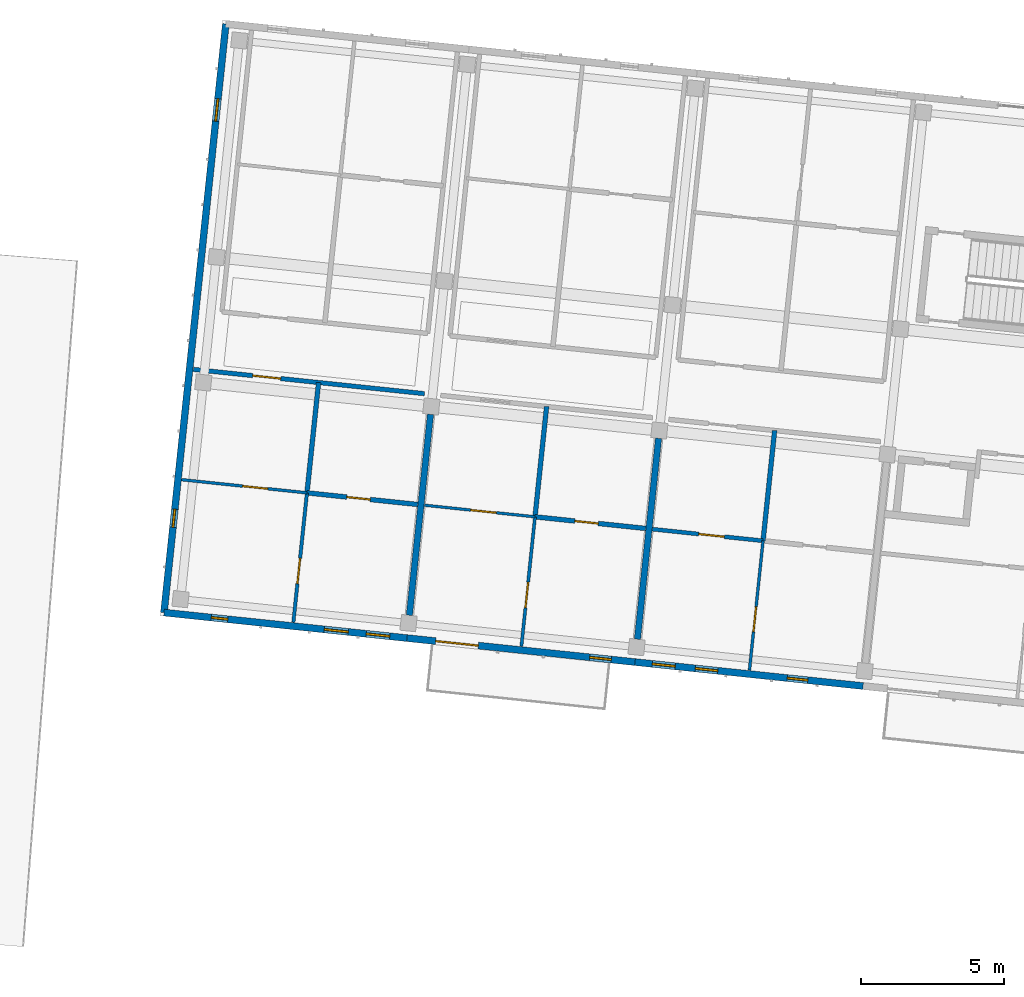
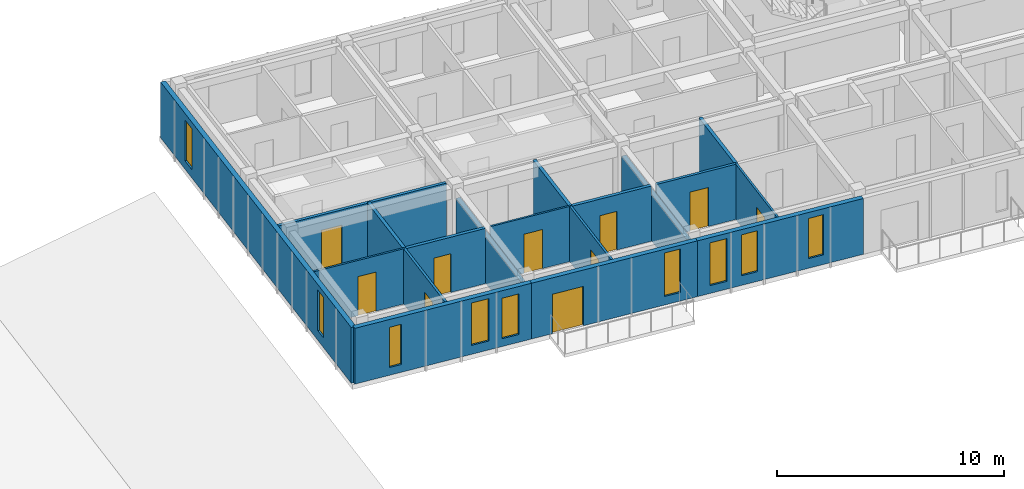
# One storey, part 29 of 74: 18 walls, 10 doors, 9 windows, 19 openings.
"""IFC4 building model written with IfcOpenShell, lengths in metres."""

from ifc_helpers import new_model, si_unit, direction, frame, frame_2d, origin, place, context, subcontext, project, spatial, rectangle, extrude, material, layer, layer_set, type_object, element, fill, save


model = new_model("IFC4")

# Units and contexts
model_context = context("Model", 3, precision=1e-05, world=origin(), true_north=direction((0.0, 1.0)))
body_context = subcontext(model_context, "Body", "Model", "MODEL_VIEW")
ifc_project = project(units=[si_unit("LENGTHUNIT", "METRE"), si_unit("AREAUNIT", "SQUARE_METRE"), si_unit("VOLUMEUNIT", "CUBIC_METRE"), si_unit("PLANEANGLEUNIT", "RADIAN"), si_unit("MASSUNIT", "GRAM", prefix="KILO")], contexts=[model_context])

# Site, building, storey
site_placement = place(None, origin())
site = spatial("IfcSite", under=ifc_project, at=site_placement, CompositionType="ELEMENT")
building_placement = place(site_placement, origin())
building = spatial("IfcBuilding", under=site, at=building_placement, Name="Kestramere Prow Commons", CompositionType="ELEMENT")
storey_placement = place(building_placement, frame((0.0, 0.0, 11.64990234375)))
storey = spatial("IfcBuildingStorey", under=building, at=storey_placement, Name="L03", CompositionType="ELEMENT", Elevation=11.64990234375)

# Wall, openings, windows
ifc_material_1 = material(Name="Fluoropolymer Standing-Seam Zinc-Aluminium Cladding", Category="aluminium")
ifc_layer_1 = layer(ifc_material_1, 0.239990234375)
ifc_layer_set_1 = layer_set([ifc_layer_1], Name="Fluoropolymer Standing-Seam Zinc-Aluminium Cladding")
wall_type_1 = type_object("IfcWallType", Name="EW-SEAM-240", PredefinedType="SOLIDWALL", material=ifc_layer_set_1)
wall_1_placement = place(storey_placement, frame((117.9013671875, 93.441650390625, 0.0), z_axis=(0.0, 0.0, 1.0), x_axis=(-0.994521760736, 0.104529744196, 0.0)))
wall_1 = element("IfcWall", 1, at=wall_1_placement, inside=storey, type_object=wall_type_1, Name="Block B L03 South Standing-Seam Wall 1", PredefinedType="SOLIDWALL", context=body_context, shape_type="SweptSolid", body=[
    extrude(rectangle(XDim=8.52490234375, YDim=0.239990234375, at=frame_2d((4.262451171875, 0.0))), origin(), (0.0, 0.0, 1.0), 3.0),
])
opening_1_placement = place(wall_1_placement, frame((0.610107421875, 0.0, 0.419921875)))
opening_1 = element("IfcOpeningElement", 2, at=opening_1_placement, cuts=wall_1, Name="Opening WN-13", PredefinedType="OPENING", context=body_context, shape_type="SweptSolid", body=[
    extrude(rectangle(XDim=0.820068359375, YDim=2.179931640625, at=frame_2d((0.41015625, 1.08984375))), frame((0.0, 0.135009765625, 0.0), z_axis=(0.0, -1.0, 0.0), x_axis=(1.0, 0.0, 0.0)), (0.0, 0.0, 1.0), 0.27001953125),
])
opening_2_placement = place(wall_1_placement, frame((2.06005859375, 0.0, 0.47998046875)))
opening_2 = element("IfcOpeningElement", 3, at=opening_2_placement, cuts=wall_1, Name="Opening WN-14", PredefinedType="OPENING", context=body_context, shape_type="SweptSolid", body=[
    extrude(rectangle(XDim=0.840087890625, YDim=2.280029296875, at=frame_2d((0.419921875, 1.14013671875))), frame((0.0, 0.135009765625, 0.0), z_axis=(0.0, -1.0, 0.0), x_axis=(1.0, 0.0, 0.0)), (0.0, 0.0, 1.0), 0.27001953125),
])
opening_3_placement = place(wall_1_placement, frame((6.284423828125, 0.0, 0.419921875)))
opening_3 = element("IfcOpeningElement", 4, at=opening_3_placement, cuts=wall_1, Name="Opening WN-01", PredefinedType="OPENING", context=body_context, shape_type="SweptSolid", body=[
    extrude(rectangle(XDim=0.580078125, YDim=2.159912109375, at=frame_2d((0.2900390625, 1.080078125))), frame((0.0, 0.135009765625, 0.0), z_axis=(0.0, -1.0, 0.0), x_axis=(1.0, 0.0, 0.0)), (0.0, 0.0, 1.0), 0.27001953125),
])
ifc_material_2 = material(Name="Low-E Laminated Double Glazing", Category="glass")
window_type_1 = type_object("IfcWindowType", Name="WN-NAR-580A", PartitioningType="SINGLE_PANEL", PredefinedType="WINDOW", material=ifc_material_2)
window_1_placement = place(opening_3_placement, origin())
window_1 = element("IfcWindow", 5, at=window_1_placement, inside=storey, type_object=window_type_1, Name="WN-B-L03-S-0-10", OverallHeight=2.159912109375, OverallWidth=0.580078125, PartitioningType="SINGLE_PANEL", PredefinedType="WINDOW", context=body_context, shape_type="SweptSolid", body=[
    extrude(rectangle(XDim=0.580078125, YDim=2.159912109375, at=frame_2d((0.2900390625, 1.080078125))), frame((0.0, 0.030029296875, 0.0), z_axis=(0.0, -1.0, 0.0), x_axis=(1.0, 0.0, 0.0)), (0.0, 0.0, 1.0), 0.06005859375),
])
fill(opening_3, window_1)
window_type_2 = type_object("IfcWindowType", Name="WN-NAR-820A", PartitioningType="DOUBLE_PANEL_VERTICAL", PredefinedType="WINDOW", material=ifc_material_2)
window_2_placement = place(opening_1_placement, origin())
window_2 = element("IfcWindow", 6, at=window_2_placement, inside=storey, type_object=window_type_2, Name="WN-B-L03-S-0-00", OverallHeight=2.179931640625, OverallWidth=0.820068359375, PartitioningType="SINGLE_PANEL", PredefinedType="WINDOW", context=body_context, shape_type="SweptSolid", body=[
    extrude(rectangle(XDim=0.820068359375, YDim=2.179931640625, at=frame_2d((0.41015625, 1.08984375))), frame((0.0, 0.030029296875, 0.0), z_axis=(0.0, -1.0, 0.0), x_axis=(1.0, 0.0, 0.0)), (0.0, 0.0, 1.0), 0.06005859375),
])
fill(opening_1, window_2)
window_type_3 = type_object("IfcWindowType", Name="WN-NAR-840A", PartitioningType="DOUBLE_PANEL_VERTICAL", PredefinedType="WINDOW", material=ifc_material_2)
window_3_placement = place(opening_2_placement, origin())
window_3 = element("IfcWindow", 7, at=window_3_placement, inside=storey, type_object=window_type_3, Name="WN-B-L03-S-0-01", OverallHeight=2.280029296875, OverallWidth=0.840087890625, PartitioningType="SINGLE_PANEL", PredefinedType="WINDOW", context=body_context, shape_type="SweptSolid", body=[
    extrude(rectangle(XDim=0.840087890625, YDim=2.280029296875, at=frame_2d((0.419921875, 1.14013671875))), frame((0.0, 0.030029296875, 0.0), z_axis=(0.0, -1.0, 0.0), x_axis=(1.0, 0.0, 0.0)), (0.0, 0.0, 1.0), 0.06005859375),
])
fill(opening_2, window_3)

# Wall, openings, door, window
wall_2_placement = place(storey_placement, frame((125.857421875, 92.60546875, 0.0), z_axis=(0.0, 0.0, 1.0), x_axis=(-0.994522329422, 0.104524333444, 0.0)))
wall_2 = element("IfcWall", 8, at=wall_2_placement, inside=storey, type_object=wall_type_1, Name="Block B L03 South Standing-Seam Wall 2", PredefinedType="SOLIDWALL", context=body_context, shape_type="SweptSolid", body=[
    extrude(rectangle(XDim=7.999755859375, YDim=0.239990234375, at=frame_2d((4.0, 0.0))), origin(), (0.0, 0.0, 1.0), 3.0),
])
opening_4_placement = place(wall_2_placement, frame((5.4951171875, 0.0, 0.0)))
opening_4 = element("IfcOpeningElement", 9, at=opening_4_placement, cuts=wall_2, Name="Opening GD-BAL-01", PredefinedType="OPENING", context=body_context, shape_type="SweptSolid", body=[
    extrude(rectangle(XDim=1.5, YDim=2.1201171875, at=frame_2d((0.75, 1.06005859375))), frame((0.0, 0.135009765625, 0.0), z_axis=(0.0, -1.0, 0.0), x_axis=(1.0, 0.0, 0.0)), (0.0, 0.0, 1.0), 0.27001953125),
])
opening_5_placement = place(wall_2_placement, frame((0.830078125, 0.0, 0.4599609375)))
opening_5 = element("IfcOpeningElement", 10, at=opening_5_placement, cuts=wall_2, Name="Opening WN-10", PredefinedType="OPENING", context=body_context, shape_type="SweptSolid", body=[
    extrude(rectangle(XDim=0.760009765625, YDim=2.340087890625, at=frame_2d((0.3798828125, 1.169921875))), frame((0.0, 0.135009765625, 0.0), z_axis=(0.0, -1.0, 0.0), x_axis=(1.0, 0.0, 0.0)), (0.0, 0.0, 1.0), 0.27001953125),
])
ifc_material_3 = material(Name="Thermally-Broken Anodised Aluminium Glazed", Category="aluminium")
door_type_1 = type_object("IfcDoorType", Name="GD-BAL-1500", OperationType="SLIDING_TO_RIGHT", PredefinedType="DOOR", material=ifc_material_3)
door_1_placement = place(opening_4_placement, origin())
door_1 = element("IfcDoor", 11, at=door_1_placement, inside=storey, type_object=door_type_1, Name="Block B L03 Balcony Door 2", OperationType="SLIDING_TO_RIGHT", OverallHeight=2.1201171875, OverallWidth=1.5, PredefinedType="DOOR", context=body_context, shape_type="SweptSolid", body=[
    extrude(rectangle(XDim=1.5, YDim=2.1201171875, at=frame_2d((0.75, 1.06005859375))), frame((0.0, 0.02490234375, 0.0), z_axis=(0.0, -1.0, 0.0), x_axis=(1.0, 0.0, 0.0)), (0.0, 0.0, 1.0), 0.050048828125),
])
fill(opening_4, door_1)
window_type_4 = type_object("IfcWindowType", Name="WN-NAR-760A", PartitioningType="SINGLE_PANEL", PredefinedType="WINDOW", material=ifc_material_2)
window_4_placement = place(opening_5_placement, origin())
window_4 = element("IfcWindow", 12, at=window_4_placement, inside=storey, type_object=window_type_4, Name="WN-B-L03-SR-1", OverallHeight=2.340087890625, OverallWidth=0.760009765625, PartitioningType="SINGLE_PANEL", PredefinedType="WINDOW", context=body_context, shape_type="SweptSolid", body=[
    extrude(rectangle(XDim=0.760009765625, YDim=2.340087890625, at=frame_2d((0.3798828125, 1.169921875))), frame((0.0, 0.030029296875, 0.0), z_axis=(0.0, -1.0, 0.0), x_axis=(1.0, 0.0, 0.0)), (0.0, 0.0, 1.0), 0.06005859375),
])
fill(opening_5, window_4)

# Wall, openings, windows
wall_3_placement = place(storey_placement, frame((133.813720703125, 91.769287109375, 0.0), z_axis=(0.0, 0.0, 1.0), x_axis=(-0.994522662826, 0.104521161134, 0.0)))
wall_3 = element("IfcWall", 13, at=wall_3_placement, inside=storey, type_object=wall_type_1, Name="Block B L03 South Standing-Seam Wall 3", PredefinedType="SOLIDWALL", context=body_context, shape_type="SweptSolid", body=[
    extrude(rectangle(XDim=8.0, YDim=0.239990234375, at=frame_2d((4.0, 0.0))), origin(), (0.0, 0.0, 1.0), 3.0),
])
opening_6_placement = place(wall_3_placement, frame((1.935791015625, 0.0, 0.52001953125)))
opening_6 = element("IfcOpeningElement", 14, at=opening_6_placement, cuts=wall_3, Name="Opening WN-08", PredefinedType="OPENING", context=body_context, shape_type="SweptSolid", body=[
    extrude(rectangle(XDim=0.719970703125, YDim=2.159912109375, at=frame_2d((0.35986328125, 1.080078125))), frame((0.0, 0.135009765625, 0.0), z_axis=(0.0, -1.0, 0.0), x_axis=(1.0, 0.0, 0.0)), (0.0, 0.0, 1.0), 0.27001953125),
])
opening_7_placement = place(wall_3_placement, frame((5.10009765625, 0.0, 0.52001953125)))
opening_7 = element("IfcOpeningElement", 15, at=opening_7_placement, cuts=wall_3, Name="Opening WN-11", PredefinedType="OPENING", context=body_context, shape_type="SweptSolid", body=[
    extrude(rectangle(XDim=0.780029296875, YDim=2.199951171875, at=frame_2d((0.39013671875, 1.10009765625))), frame((0.0, 0.135009765625, 0.0), z_axis=(0.0, -1.0, 0.0), x_axis=(1.0, 0.0, 0.0)), (0.0, 0.0, 1.0), 0.27001953125),
])
opening_8_placement = place(wall_3_placement, frame((6.590087890625, 0.0, 0.419921875)))
opening_8 = element("IfcOpeningElement", 16, at=opening_8_placement, cuts=wall_3, Name="Opening WN-12", PredefinedType="OPENING", context=body_context, shape_type="SweptSolid", body=[
    extrude(rectangle(XDim=0.800048828125, YDim=2.300048828125, at=frame_2d((0.39990234375, 1.14990234375))), frame((0.0, 0.135009765625, 0.0), z_axis=(0.0, -1.0, 0.0), x_axis=(1.0, 0.0, 0.0)), (0.0, 0.0, 1.0), 0.27001953125),
])
window_type_5 = type_object("IfcWindowType", Name="WN-NAR-720A", PartitioningType="SINGLE_PANEL", PredefinedType="WINDOW", material=ifc_material_2)
window_5_placement = place(opening_6_placement, origin())
window_5 = element("IfcWindow", 17, at=window_5_placement, inside=storey, type_object=window_type_5, Name="WN-B-L03-S-2-00", OverallHeight=2.159912109375, OverallWidth=0.719970703125, PartitioningType="SINGLE_PANEL", PredefinedType="WINDOW", context=body_context, shape_type="SweptSolid", body=[
    extrude(rectangle(XDim=0.719970703125, YDim=2.159912109375, at=frame_2d((0.35986328125, 1.080078125))), frame((0.0, 0.030029296875, 0.0), z_axis=(0.0, -1.0, 0.0), x_axis=(1.0, 0.0, 0.0)), (0.0, 0.0, 1.0), 0.06005859375),
])
fill(opening_6, window_5)
window_type_6 = type_object("IfcWindowType", Name="WN-NAR-780A", PartitioningType="SINGLE_PANEL", PredefinedType="WINDOW", material=ifc_material_2)
window_6_placement = place(opening_7_placement, origin())
window_6 = element("IfcWindow", 18, at=window_6_placement, inside=storey, type_object=window_type_6, Name="WN-B-L03-S-2-10", OverallHeight=2.199951171875, OverallWidth=0.780029296875, PartitioningType="SINGLE_PANEL", PredefinedType="WINDOW", context=body_context, shape_type="SweptSolid", body=[
    extrude(rectangle(XDim=0.780029296875, YDim=2.199951171875, at=frame_2d((0.39013671875, 1.10009765625))), frame((0.0, 0.030029296875, 0.0), z_axis=(0.0, -1.0, 0.0), x_axis=(1.0, 0.0, 0.0)), (0.0, 0.0, 1.0), 0.06005859375),
])
fill(opening_7, window_6)
window_type_7 = type_object("IfcWindowType", Name="WN-NAR-800A", PartitioningType="SINGLE_PANEL", PredefinedType="WINDOW", material=ifc_material_2)
window_7_placement = place(opening_8_placement, origin())
window_7 = element("IfcWindow", 19, at=window_7_placement, inside=storey, type_object=window_type_7, Name="WN-B-L03-S-2-11", OverallHeight=2.300048828125, OverallWidth=0.800048828125, PartitioningType="SINGLE_PANEL", PredefinedType="WINDOW", context=body_context, shape_type="SweptSolid", body=[
    extrude(rectangle(XDim=0.800048828125, YDim=2.300048828125, at=frame_2d((0.39990234375, 1.14990234375))), frame((0.0, 0.030029296875, 0.0), z_axis=(0.0, -1.0, 0.0), x_axis=(1.0, 0.0, 0.0)), (0.0, 0.0, 1.0), 0.06005859375),
])
fill(opening_8, window_7)

wall_4_placement = place(storey_placement, frame((109.423095703125, 94.332763671875, 0.0), z_axis=(0.0, 0.0, 1.0), x_axis=(0.1045253859, 0.994522218808, 0.0)))
wall_4 = element("IfcWall", 20, at=wall_4_placement, inside=storey, type_object=wall_type_1, Name="Block B L03 EAV Facet Wall", PredefinedType="SOLIDWALL", context=body_context, shape_type="SweptSolid", body=[
    extrude(rectangle(XDim=20.64990234375, YDim=0.239990234375, at=frame_2d((10.324951171875, 0.0))), origin(), (0.0, 0.0, 1.0), 3.0),
])
opening_9_placement = place(wall_4_placement, frame((2.989990234375, 0.0, 0.52001953125)))
opening_9 = element("IfcOpeningElement", 21, at=opening_9_placement, cuts=wall_4, Name="Opening WN-04", PredefinedType="OPENING", context=body_context, shape_type="SweptSolid", body=[
    extrude(rectangle(XDim=0.639892578125, YDim=2.179931640625, at=frame_2d((0.31982421875, 1.08984375))), frame((0.0, 0.135009765625, 0.0), z_axis=(0.0, -1.0, 0.0), x_axis=(1.0, 0.0, 0.0)), (0.0, 0.0, 1.0), 0.27001953125),
])
opening_10_placement = place(wall_4_placement, frame((17.239990234375, 0.0, 0.449951171875)))
opening_10 = element("IfcOpeningElement", 22, at=opening_10_placement, cuts=wall_4, Name="Opening WN-11", PredefinedType="OPENING", context=body_context, shape_type="SweptSolid", body=[
    extrude(rectangle(XDim=0.780029296875, YDim=2.199951171875, at=frame_2d((0.39013671875, 1.10009765625))), frame((0.0, 0.135009765625, 0.0), z_axis=(0.0, -1.0, 0.0), x_axis=(1.0, 0.0, 0.0)), (0.0, 0.0, 1.0), 0.27001953125),
])
window_type_8 = type_object("IfcWindowType", Name="WN-NAR-640A", PartitioningType="SINGLE_PANEL", PredefinedType="WINDOW", material=ifc_material_2)
window_8_placement = place(opening_9_placement, origin())
window_8 = element("IfcWindow", 23, at=window_8_placement, inside=storey, type_object=window_type_8, Name="WN-B-L03-EAV-0", OverallHeight=2.179931640625, OverallWidth=0.639892578125, PartitioningType="SINGLE_PANEL", PredefinedType="WINDOW", context=body_context, shape_type="SweptSolid", body=[
    extrude(rectangle(XDim=0.639892578125, YDim=2.179931640625, at=frame_2d((0.31982421875, 1.08984375))), frame((0.0, 0.030029296875, 0.0), z_axis=(0.0, -1.0, 0.0), x_axis=(1.0, 0.0, 0.0)), (0.0, 0.0, 1.0), 0.06005859375),
])
fill(opening_9, window_8)
window_9_placement = place(opening_10_placement, origin())
window_9 = element("IfcWindow", 24, at=window_9_placement, inside=storey, type_object=window_type_6, Name="WN-B-L03-EAV-1", OverallHeight=2.199951171875, OverallWidth=0.780029296875, PartitioningType="SINGLE_PANEL", PredefinedType="WINDOW", context=body_context, shape_type="SweptSolid", body=[
    extrude(rectangle(XDim=0.780029296875, YDim=2.199951171875, at=frame_2d((0.39013671875, 1.10009765625))), frame((0.0, 0.030029296875, 0.0), z_axis=(0.0, -1.0, 0.0), x_axis=(1.0, 0.0, 0.0)), (0.0, 0.0, 1.0), 0.06005859375),
])
fill(opening_10, window_9)

# Wall, opening, door
ifc_material_4 = material(Name="Fire-Rated Calcium Silicate Wall")
ifc_layer_2 = layer(ifc_material_4, 0.155029296875)
ifc_layer_set_2 = layer_set([ifc_layer_2], Name="Fire-Rated Calcium Silicate Wall")
wall_type_2 = type_object("IfcWallType", Name="W-FIRE-150", PredefinedType="PARTITIONING", material=ifc_layer_set_2)
wall_5_placement = place(storey_placement, frame((110.445556640625, 102.8173828125, 0.0), z_axis=(0.0, 0.0, 1.0), x_axis=(0.994522594842, -0.104521808006, 0.0)))
wall_5 = element("IfcWall", 25, at=wall_5_placement, inside=storey, type_object=wall_type_2, Name="Interior Partition PW-B-L03-CS-0", PredefinedType="PARTITIONING", context=body_context, shape_type="SweptSolid", body=[
    extrude(rectangle(XDim=8.10986328125, YDim=0.155029296875, at=frame_2d((4.054931640625, 0.0))), origin(), (0.0, 0.0, 1.0), 2.97021484375),
])
opening_11_placement = place(wall_5_placement, frame((2.0849609375, 0.0, 0.0)))
opening_11 = element("IfcOpeningElement", 26, at=opening_11_placement, cuts=wall_5, Name="Opening ID-04", PredefinedType="OPENING", context=body_context, shape_type="SweptSolid", body=[
    extrude(rectangle(XDim=0.97998046875, YDim=2.14990234375, at=frame_2d((0.489990234375, 1.074951171875))), frame((0.0, 0.092529296875, 0.0), z_axis=(0.0, -1.0, 0.0), x_axis=(1.0, 0.0, 0.0)), (0.0, 0.0, 1.0), 0.18505859375),
])
ifc_material_5 = material(Name="Hardwood Fire-Rated Flat Entrance Door", Category="wood")
door_type_2 = type_object("IfcDoorType", Name="FD-ENT-01", OperationType="NOTDEFINED", PredefinedType="DOOR", material=ifc_material_5)
door_2_placement = place(opening_11_placement, origin())
door_2 = element("IfcDoor", 27, at=door_2_placement, inside=storey, type_object=door_type_2, Name="Interior Door DR-B-L03-ENT-S0", OperationType="SINGLE_SWING_RIGHT", OverallHeight=2.14990234375, OverallWidth=0.97998046875, PredefinedType="DOOR", context=body_context, shape_type="SweptSolid", body=[
    extrude(rectangle(XDim=0.97998046875, YDim=2.14990234375, at=frame_2d((0.489990234375, 1.074951171875))), frame((0.0, 0.02490234375, 0.0), z_axis=(0.0, -1.0, 0.0), x_axis=(1.0, 0.0, 0.0)), (0.0, 0.0, 1.0), 0.050048828125),
])
fill(opening_11, door_2)

ifc_material_6 = material(Name="Gypsum Acoustic Drywall")
ifc_layer_3 = layer(ifc_material_6, 0.10009765625)
ifc_layer_set_3 = layer_set([ifc_layer_3], Name="Gypsum Acoustic Drywall")
wall_type_3 = type_object("IfcWallType", Name="W-PART-100", PredefinedType="PARTITIONING", material=ifc_layer_set_3)
wall_6_placement = place(storey_placement, frame((110.041015625, 98.968505859375, 0.0), z_axis=(0.0, 0.0, 1.0), x_axis=(0.99452005377, -0.104545983421, 0.0)))
wall_6 = element("IfcWall", 28, at=wall_6_placement, inside=storey, type_object=wall_type_3, Name="Interior Partition PW-B-L03-MIDS1-0", PredefinedType="PARTITIONING", context=body_context, shape_type="SweptSolid", body=[
    extrude(rectangle(XDim=4.39501953125, YDim=0.10009765625, at=frame_2d((2.197509765625, 0.0))), origin(), (0.0, 0.0, 1.0), 2.97021484375),
])
opening_12_placement = place(wall_6_placement, frame((2.135009765625, 0.0, 0.0)))
opening_12 = element("IfcOpeningElement", 29, at=opening_12_placement, cuts=wall_6, Name="Opening ID-10", PredefinedType="OPENING", context=body_context, shape_type="SweptSolid", body=[
    extrude(rectangle(XDim=0.8798828125, YDim=2.10009765625, at=frame_2d((0.43994140625, 1.050048828125))), frame((0.0, 0.06494140625, 0.0), z_axis=(0.0, -1.0, 0.0), x_axis=(1.0, 0.0, 0.0)), (0.0, 0.0, 1.0), 0.130126953125),
])
ifc_material_7 = material(Name="Engineered Timber Bedroom Door", Category="wood")
door_type_3 = type_object("IfcDoorType", Name="D-RM-03", OperationType="NOTDEFINED", PredefinedType="DOOR", material=ifc_material_7)
door_3_placement = place(opening_12_placement, origin())
door_3 = element("IfcDoor", 30, at=door_3_placement, inside=storey, type_object=door_type_3, Name="Interior Door DR-B-L03-KL-S0", OperationType="SINGLE_SWING_RIGHT", OverallHeight=2.10009765625, OverallWidth=0.8798828125, PredefinedType="DOOR", context=body_context, shape_type="SweptSolid", body=[
    extrude(rectangle(XDim=0.8798828125, YDim=2.10009765625, at=frame_2d((0.43994140625, 1.050048828125))), frame((0.0, 0.02490234375, 0.0), z_axis=(0.0, -1.0, 0.0), x_axis=(1.0, 0.0, 0.0)), (0.0, 0.0, 1.0), 0.050048828125),
])
fill(opening_12, door_3)

wall_7_placement = place(storey_placement, frame((129.849609375, 92.321533203125, 0.0), z_axis=(0.0, 0.0, 1.0), x_axis=(0.104539221709, 0.994520764552, 0.0)))
wall_7 = element("IfcWall", 31, at=wall_7_placement, inside=storey, type_object=wall_type_3, Name="Interior Partition PW-B-L03-LB-S2", PredefinedType="PARTITIONING", context=body_context, shape_type="SweptSolid", body=[
    extrude(rectangle(XDim=4.5400390625, YDim=0.10009765625, at=frame_2d((2.27001953125, 0.0))), origin(), (0.0, 0.0, 1.0), 2.97021484375),
])
opening_13_placement = place(wall_7_placement, frame((1.35009765625, 0.0, 0.0)))
opening_13 = element("IfcOpeningElement", 32, at=opening_13_placement, cuts=wall_7, Name="Opening ID-10", PredefinedType="OPENING", context=body_context, shape_type="SweptSolid", body=[
    extrude(rectangle(XDim=0.8798828125, YDim=2.10009765625, at=frame_2d((0.43994140625, 1.050048828125))), frame((0.0, 0.06494140625, 0.0), z_axis=(0.0, -1.0, 0.0), x_axis=(1.0, 0.0, 0.0)), (0.0, 0.0, 1.0), 0.130126953125),
])
door_4_placement = place(opening_13_placement, origin())
door_4 = element("IfcDoor", 33, at=door_4_placement, inside=storey, type_object=door_type_3, Name="Interior Door DR-B-L03-BED-S2", OperationType="SINGLE_SWING_LEFT", OverallHeight=2.10009765625, OverallWidth=0.8798828125, PredefinedType="DOOR", context=body_context, shape_type="SweptSolid", body=[
    extrude(rectangle(XDim=0.8798828125, YDim=2.10009765625, at=frame_2d((0.43994140625, 1.050048828125))), frame((0.0, 0.02490234375, 0.0), z_axis=(0.0, -1.0, 0.0), x_axis=(1.0, 0.0, 0.0)), (0.0, 0.0, 1.0), 0.050048828125),
])
fill(opening_13, door_4)

ifc_layer_4 = layer(ifc_material_6, 0.110107421875)
ifc_layer_set_4 = layer_set([ifc_layer_4], Name="Gypsum Acoustic Drywall")
wall_type_4 = type_object("IfcWallType", Name="W-PART-110", PredefinedType="PARTITIONING", material=ifc_layer_set_4)
wall_8_placement = place(storey_placement, frame((121.8935546875, 93.15771484375, 0.0), z_axis=(0.0, 0.0, 1.0), x_axis=(0.104539221709, 0.994520764552, 0.0)))
wall_8 = element("IfcWall", 34, at=wall_8_placement, inside=storey, type_object=wall_type_4, Name="Interior Partition PW-B-L03-LB-S1", PredefinedType="PARTITIONING", context=body_context, shape_type="SweptSolid", body=[
    extrude(rectangle(XDim=4.5400390625, YDim=0.110107421875, at=frame_2d((2.27001953125, 0.0))), origin(), (0.0, 0.0, 1.0), 2.97021484375),
])
opening_14_placement = place(wall_8_placement, frame((1.35009765625, 0.0, 0.0)))
opening_14 = element("IfcOpeningElement", 35, at=opening_14_placement, cuts=wall_8, Name="Opening ID-08", PredefinedType="OPENING", context=body_context, shape_type="SweptSolid", body=[
    extrude(rectangle(XDim=0.89990234375, YDim=2.10009765625, at=frame_2d((0.449951171875, 1.050048828125))), frame((0.0, 0.070068359375, 0.0), z_axis=(0.0, -1.0, 0.0), x_axis=(1.0, 0.0, 0.0)), (0.0, 0.0, 1.0), 0.14013671875),
])
ifc_material_8 = material(Name="Engineered Timber Flush Door", Category="wood")
door_type_4 = type_object("IfcDoorType", Name="D-RM-01", OperationType="NOTDEFINED", PredefinedType="DOOR", material=ifc_material_8)
door_5_placement = place(opening_14_placement, origin())
door_5 = element("IfcDoor", 36, at=door_5_placement, inside=storey, type_object=door_type_4, Name="Interior Door DR-B-L03-BED-S1", OperationType="SINGLE_SWING_RIGHT", OverallHeight=2.10009765625, OverallWidth=0.89990234375, PredefinedType="DOOR", context=body_context, shape_type="SweptSolid", body=[
    extrude(rectangle(XDim=0.89990234375, YDim=2.10009765625, at=frame_2d((0.449951171875, 1.050048828125))), frame((0.0, 0.02490234375, 0.0), z_axis=(0.0, -1.0, 0.0), x_axis=(1.0, 0.0, 0.0)), (0.0, 0.0, 1.0), 0.050048828125),
])
fill(opening_14, door_5)

ifc_material_9 = material(Name="Lightweight Blockwork and Plaster", Category="masonry")
ifc_layer_5 = layer(ifc_material_9, 0.1201171875)
ifc_layer_set_5 = layer_set([ifc_layer_5], Name="Lightweight Blockwork and Plaster")
wall_type_5 = type_object("IfcWallType", Name="W-PART-120", PredefinedType="PARTITIONING", material=ifc_layer_set_5)
wall_9_placement = place(storey_placement, frame((113.937255859375, 93.994140625, 0.0), z_axis=(0.0, 0.0, 1.0), x_axis=(0.104544812834, 0.994520176824, 0.0)))
wall_9 = element("IfcWall", 37, at=wall_9_placement, inside=storey, type_object=wall_type_5, Name="Interior Partition PW-B-L03-LB-S0", PredefinedType="PARTITIONING", context=body_context, shape_type="SweptSolid", body=[
    extrude(rectangle(XDim=4.539794921875, YDim=0.1201171875, at=frame_2d((2.27001953125, 0.0))), origin(), (0.0, 0.0, 1.0), 2.97021484375),
])
opening_15_placement = place(wall_9_placement, frame((1.35009765625, 0.0, 0.0)))
opening_15 = element("IfcOpeningElement", 38, at=opening_15_placement, cuts=wall_9, Name="Opening ID-08", PredefinedType="OPENING", context=body_context, shape_type="SweptSolid", body=[
    extrude(rectangle(XDim=0.89990234375, YDim=2.10009765625, at=frame_2d((0.449951171875, 1.050048828125))), frame((0.0, 0.074951171875, 0.0), z_axis=(0.0, -1.0, 0.0), x_axis=(1.0, 0.0, 0.0)), (0.0, 0.0, 1.0), 0.150146484375),
])
door_6_placement = place(opening_15_placement, origin())
door_6 = element("IfcDoor", 39, at=door_6_placement, inside=storey, type_object=door_type_4, Name="Interior Door DR-B-L03-BED-S0", OperationType="SINGLE_SWING_LEFT", OverallHeight=2.10009765625, OverallWidth=0.89990234375, PredefinedType="DOOR", context=body_context, shape_type="SweptSolid", body=[
    extrude(rectangle(XDim=0.89990234375, YDim=2.10009765625, at=frame_2d((0.449951171875, 1.050048828125))), frame((0.0, 0.02490234375, 0.0), z_axis=(0.0, -1.0, 0.0), x_axis=(1.0, 0.0, 0.0)), (0.0, 0.0, 1.0), 0.050048828125),
])
fill(opening_15, door_6)

ifc_material_10 = material(Name="Masonry Compartment Wall", Category="masonry")
ifc_layer_6 = layer(ifc_material_10, 0.139892578125)
ifc_layer_set_6 = layer_set([ifc_layer_6], Name="Masonry Compartment Wall")
wall_type_6 = type_object("IfcWallType", Name="W-PART-140", PredefinedType="PARTITIONING", material=ifc_layer_set_6)
wall_10_placement = place(storey_placement, frame((126.46044921875, 97.24267578125, 0.0), z_axis=(0.0, 0.0, 1.0), x_axis=(0.994524375082, -0.104504867671, 0.0)))
wall_10 = element("IfcWall", 40, at=wall_10_placement, inside=storey, type_object=wall_type_6, Name="Interior Partition PW-B-L03-MIDS1-2", PredefinedType="PARTITIONING", context=body_context, shape_type="SweptSolid", body=[
    extrude(rectangle(XDim=3.885009765625, YDim=0.139892578125, at=frame_2d((1.9423828125, 0.0))), origin(), (0.0, 0.0, 1.0), 2.97021484375),
])
opening_16_placement = place(wall_10_placement, frame((1.625, 0.0, 0.0)))
opening_16 = element("IfcOpeningElement", 41, at=opening_16_placement, cuts=wall_10, Name="Opening ID-08", PredefinedType="OPENING", context=body_context, shape_type="SweptSolid", body=[
    extrude(rectangle(XDim=0.89990234375, YDim=2.10009765625, at=frame_2d((0.449951171875, 1.050048828125))), frame((0.0, 0.0849609375, 0.0), z_axis=(0.0, -1.0, 0.0), x_axis=(1.0, 0.0, 0.0)), (0.0, 0.0, 1.0), 0.169921875),
])
door_7_placement = place(opening_16_placement, origin())
door_7 = element("IfcDoor", 42, at=door_7_placement, inside=storey, type_object=door_type_4, Name="Interior Door DR-B-L03-KL-S2", OperationType="SINGLE_SWING_RIGHT", OverallHeight=2.10009765625, OverallWidth=0.89990234375, PredefinedType="DOOR", context=body_context, shape_type="SweptSolid", body=[
    extrude(rectangle(XDim=0.89990234375, YDim=2.10009765625, at=frame_2d((0.449951171875, 1.050048828125))), frame((0.0, 0.02490234375, 0.0), z_axis=(0.0, -1.0, 0.0), x_axis=(1.0, 0.0, 0.0)), (0.0, 0.0, 1.0), 0.050048828125),
])
fill(opening_16, door_7)

ifc_layer_7 = layer(ifc_material_6, 0.094970703125)
ifc_layer_set_7 = layer_set([ifc_layer_7], Name="Gypsum Acoustic Drywall")
wall_type_7 = type_object("IfcWallType", Name="W-PART-95", PredefinedType="PARTITIONING", material=ifc_layer_set_7)
wall_11_placement = place(storey_placement, frame((118.50439453125, 98.0791015625, 0.0), z_axis=(0.0, 0.0, 1.0), x_axis=(0.994517841934, -0.104567021925, 0.0)))
wall_11 = element("IfcWall", 43, at=wall_11_placement, inside=storey, type_object=wall_type_7, Name="Interior Partition PW-B-L03-MIDS1-1", PredefinedType="PARTITIONING", context=body_context, shape_type="SweptSolid", body=[
    extrude(rectangle(XDim=3.885009765625, YDim=0.094970703125, at=frame_2d((1.9423828125, 0.0))), origin(), (0.0, 0.0, 1.0), 2.97021484375),
])
opening_17_placement = place(wall_11_placement, frame((1.625, 0.0, 0.0)))
opening_17 = element("IfcOpeningElement", 44, at=opening_17_placement, cuts=wall_11, Name="Opening ID-08", PredefinedType="OPENING", context=body_context, shape_type="SweptSolid", body=[
    extrude(rectangle(XDim=0.89990234375, YDim=2.10009765625, at=frame_2d((0.449951171875, 1.050048828125))), frame((0.0, 0.0625, 0.0), z_axis=(0.0, -1.0, 0.0), x_axis=(1.0, 0.0, 0.0)), (0.0, 0.0, 1.0), 0.125),
])
door_8_placement = place(opening_17_placement, origin())
door_8 = element("IfcDoor", 45, at=door_8_placement, inside=storey, type_object=door_type_4, Name="Interior Door DR-B-L03-KL-S1", OperationType="SINGLE_SWING_RIGHT", OverallHeight=2.10009765625, OverallWidth=0.89990234375, PredefinedType="DOOR", context=body_context, shape_type="SweptSolid", body=[
    extrude(rectangle(XDim=0.89990234375, YDim=2.10009765625, at=frame_2d((0.449951171875, 1.050048828125))), frame((0.0, 0.02490234375, 0.0), z_axis=(0.0, -1.0, 0.0), x_axis=(1.0, 0.0, 0.0)), (0.0, 0.0, 1.0), 0.050048828125),
])
fill(opening_17, door_8)

ifc_material_11 = material(Name="Waterproof Sanitary Masonry Wall", Category="masonry")
ifc_layer_8 = layer(ifc_material_11, 0.1650390625)
ifc_layer_set_8 = layer_set([ifc_layer_8], Name="Waterproof Sanitary Masonry Wall")
wall_type_8 = type_object("IfcWallType", Name="W-PLUMB-150", PredefinedType="PLUMBINGWALL", material=ifc_layer_set_8)
wall_12_placement = place(storey_placement, frame((114.411865234375, 98.509033203125, 0.0), z_axis=(0.0, 0.0, 1.0), x_axis=(0.994524375082, -0.104504867671, 0.0)))
wall_12 = element("IfcWall", 46, at=wall_12_placement, inside=storey, type_object=wall_type_8, Name="Interior Partition PW-B-L03-MIDS2-0", PredefinedType="PLUMBINGWALL", context=body_context, shape_type="SweptSolid", body=[
    extrude(rectangle(XDim=3.885009765625, YDim=0.1650390625, at=frame_2d((1.9423828125, 0.0))), origin(), (0.0, 0.0, 1.0), 2.97021484375),
])
opening_18_placement = place(wall_12_placement, frame((1.39990234375, 0.0, 0.0)))
opening_18 = element("IfcOpeningElement", 47, at=opening_18_placement, cuts=wall_12, Name="Opening ID-11", PredefinedType="OPENING", context=body_context, shape_type="SweptSolid", body=[
    extrude(rectangle(XDim=0.820068359375, YDim=2.080078125, at=frame_2d((0.41015625, 1.0400390625))), frame((0.0, 0.097412109375, 0.0), z_axis=(0.0, -1.0, 0.0), x_axis=(1.0, 0.0, 0.0)), (0.0, 0.0, 1.0), 0.195068359375),
])
ifc_material_12 = material(Name="Moisture-Resistant Timber Bathroom Door", Category="wood")
door_type_5 = type_object("IfcDoorType", Name="D-BT-01", OperationType="NOTDEFINED", PredefinedType="DOOR", material=ifc_material_12)
door_9_placement = place(opening_18_placement, origin())
door_9 = element("IfcDoor", 48, at=door_9_placement, inside=storey, type_object=door_type_5, Name="Interior Door DR-B-L03-BTH-S0", OperationType="SINGLE_SWING_LEFT", OverallHeight=2.080078125, OverallWidth=0.820068359375, PredefinedType="DOOR", context=body_context, shape_type="SweptSolid", body=[
    extrude(rectangle(XDim=0.820068359375, YDim=2.080078125, at=frame_2d((0.41015625, 1.0400390625))), frame((0.0, 0.02490234375, 0.0), z_axis=(0.0, -1.0, 0.0), x_axis=(1.0, 0.0, 0.0)), (0.0, 0.0, 1.0), 0.050048828125),
])
fill(opening_18, door_9)

# Wall
wall_13_placement = place(storey_placement, frame((114.411865234375, 98.509033203125, 0.0), z_axis=(0.0, 0.0, 1.0), x_axis=(0.104530443122, 0.994521687275, 0.0)))
element("IfcWall", 49, at=wall_13_placement, inside=storey, type_object=wall_type_8, Name="Interior Partition PW-B-L03-KB-S0", PredefinedType="PLUMBINGWALL", context=body_context, shape_type="SweptSolid", body=[
    extrude(rectangle(XDim=3.8701171875, YDim=0.1650390625, at=frame_2d((1.93505859375, 0.0))), origin(), (0.0, 0.0, 1.0), 2.97021484375),
])

# Wall, opening, door
wall_14_placement = place(storey_placement, frame((122.3681640625, 97.6728515625, 0.0), z_axis=(0.0, 0.0, 1.0), x_axis=(0.994523688713, -0.104511399326, 0.0)))
wall_14 = element("IfcWall", 50, at=wall_14_placement, inside=storey, type_object=wall_type_8, Name="Interior Partition PW-B-L03-MIDS2-1", PredefinedType="PLUMBINGWALL", context=body_context, shape_type="SweptSolid", body=[
    extrude(rectangle(XDim=3.884765625, YDim=0.1650390625, at=frame_2d((1.9423828125, 0.0))), origin(), (0.0, 0.0, 1.0), 2.97021484375),
])
opening_19_placement = place(wall_14_placement, frame((1.39990234375, 0.0, 0.0)))
opening_19 = element("IfcOpeningElement", 51, at=opening_19_placement, cuts=wall_14, Name="Opening ID-11", PredefinedType="OPENING", context=body_context, shape_type="SweptSolid", body=[
    extrude(rectangle(XDim=0.820068359375, YDim=2.080078125, at=frame_2d((0.41015625, 1.0400390625))), frame((0.0, 0.097412109375, 0.0), z_axis=(0.0, -1.0, 0.0), x_axis=(1.0, 0.0, 0.0)), (0.0, 0.0, 1.0), 0.195068359375),
])
door_10_placement = place(opening_19_placement, origin())
door_10 = element("IfcDoor", 52, at=door_10_placement, inside=storey, type_object=door_type_5, Name="Interior Door DR-B-L03-BTH-S1", OperationType="SINGLE_SWING_LEFT", OverallHeight=2.080078125, OverallWidth=0.820068359375, PredefinedType="DOOR", context=body_context, shape_type="SweptSolid", body=[
    extrude(rectangle(XDim=0.820068359375, YDim=2.080078125, at=frame_2d((0.41015625, 1.0400390625))), frame((0.0, 0.02490234375, 0.0), z_axis=(0.0, -1.0, 0.0), x_axis=(1.0, 0.0, 0.0)), (0.0, 0.0, 1.0), 0.050048828125),
])
fill(opening_19, door_10)

# Walls
for number, where, z_axis, x_axis, name in (
    (53, (122.3681640625, 97.6728515625, 0.0), (0.0, 0.0, 1.0), (0.104468047647, 0.994528243451, 0.0), "Interior Partition PW-B-L03-KB-S1"),
    (54, (130.32421875, 96.836669921875, 0.0), (0.0, 0.0, 1.0), (0.104530443122, 0.994521687275, 0.0), "Interior Partition PW-B-L03-KB-S2"),
):
    element("IfcWall", number, at=place(storey_placement, frame(where, z_axis=z_axis, x_axis=x_axis)), inside=storey, type_object=wall_type_8, Name=name, PredefinedType="PLUMBINGWALL", context=body_context, shape_type="SweptSolid", body=[
        extrude(rectangle(XDim=3.8701171875, YDim=0.1650390625, at=frame_2d((1.93505859375, 0.0))), origin(), (0.0, 0.0, 1.0), 2.97021484375),
    ])
ifc_material_13 = material(Name="Precast concrete C40/50", Category="concrete")
ifc_layer_9 = layer(ifc_material_13, 0.219970703125)
ifc_layer_set_9 = layer_set([ifc_layer_9], Name="Precast concrete C40/50")
wall_type_9 = type_object("IfcWallType", Name="W-XWALL-220", PredefinedType="SHEAR", material=ifc_layer_set_9)
for number, where, z_axis, x_axis, name in (
    (55, (117.98486328125, 94.2373046875, 0.0), (0.0, 0.0, 1.0), (0.104549582151, 0.994519675458, 0.0), "Block B L03 Precast Cross-Wall 1"),
    (56, (125.941162109375, 93.401123046875, 0.0), (0.0, 0.0, 1.0), (0.104515329964, 0.994523275646, 0.0), "Block B L03 Precast Cross-Wall 2"),
):
    element("IfcWall", number, at=place(storey_placement, frame(where, z_axis=z_axis, x_axis=x_axis)), inside=storey, type_object=wall_type_9, Name=name, PredefinedType="SHEAR", context=body_context, shape_type="SweptSolid", body=[
        extrude(rectangle(XDim=7.0498046875, YDim=0.219970703125, at=frame_2d((3.52490234375, 0.0))), origin(), (0.0, 0.0, 1.0), 2.5),
    ])

save(model, "model.ifc")
